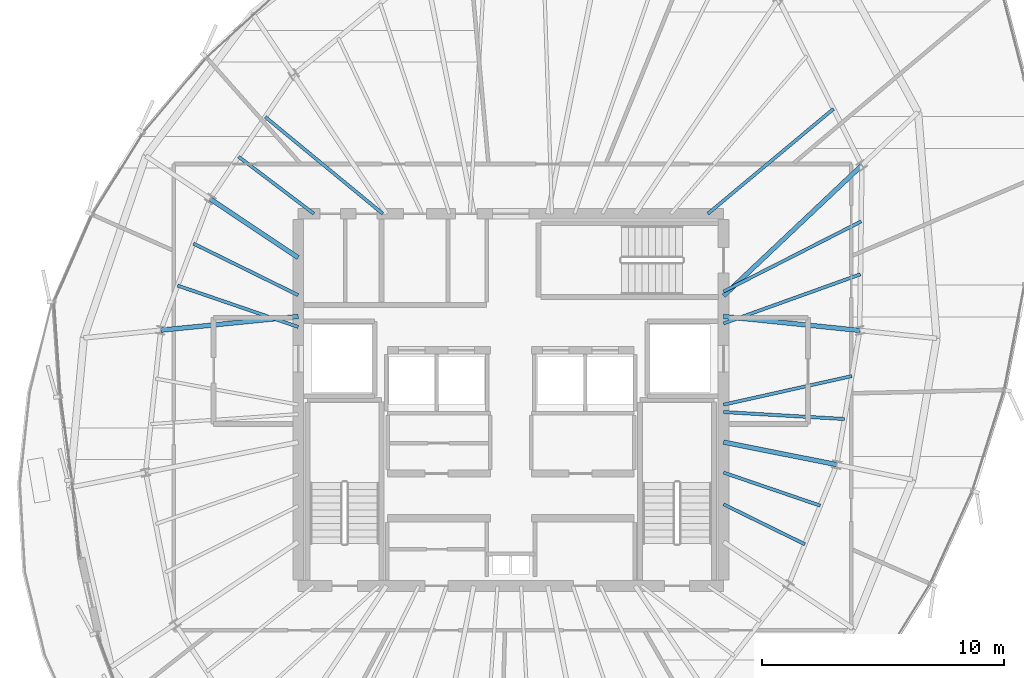
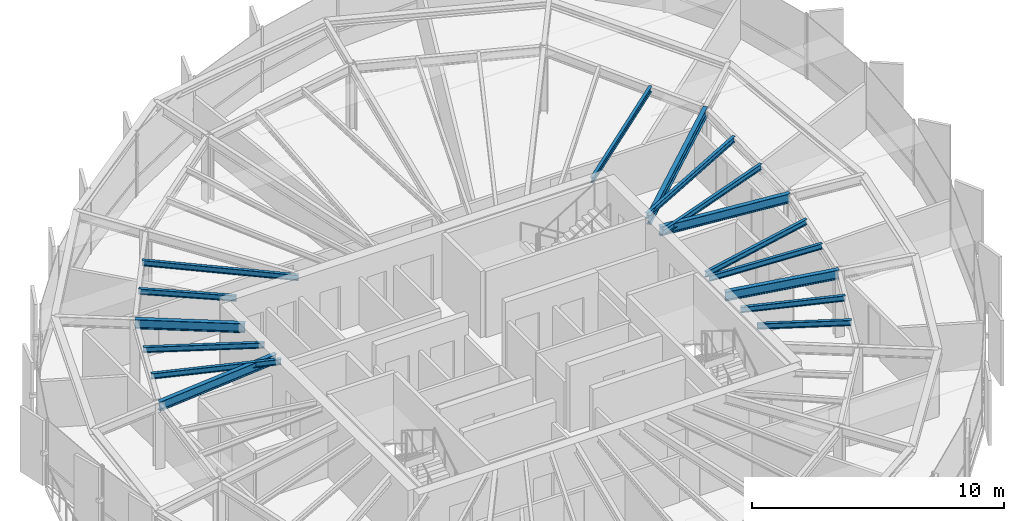
# One storey, part 12 of 32: 16 beams.
"""IFC4 building model written with IfcOpenShell, lengths in metres."""

from ifc_helpers import new_model, si_unit, direction, frame, origin, origin_2d, place, context, subcontext, project, spatial, i_section, extrude, source, transform, mapped, material, material_profile, profile_set, type_object, element, save


model = new_model("IFC4")

# Units and contexts
model_context = context("Model", 3, precision=1e-05, world=origin(), true_north=direction((0.0, 1.0)))
body_context = subcontext(model_context, "Body", "Model", "MODEL_VIEW")
ifc_project = project(units=[si_unit("LENGTHUNIT", "METRE"), si_unit("AREAUNIT", "SQUARE_METRE"), si_unit("VOLUMEUNIT", "CUBIC_METRE"), si_unit("PLANEANGLEUNIT", "RADIAN"), si_unit("MASSUNIT", "GRAM", prefix="KILO"), si_unit("THERMODYNAMICTEMPERATUREUNIT", "KELVIN")], contexts=[model_context])

# Site, building, storey
site_placement = place(None, origin())
site = spatial("IfcSite", under=ifc_project, at=site_placement, CompositionType="ELEMENT")
building_placement = place(site_placement, origin())
building = spatial("IfcBuilding", under=site, at=building_placement, Name="Kethvar Cultural Tower", CompositionType="ELEMENT")
storey_placement = place(building_placement, frame((0.0, 0.0, 252.550048828125)))
storey = spatial("IfcBuildingStorey", under=building, at=storey_placement, Name="L66", CompositionType="ELEMENT", Elevation=252.550048828125)

# Beams
ifc_material = material(Name="Steel S355J2", Category="steel")
ifc_material_profile_1 = material_profile(ifc_material, i_section(OverallWidth=0.18994140625, OverallDepth=0.449951171875, WebThickness=0.009521484375, FlangeThickness=0.0146484375, FilletRadius=0.02099609375, at=origin_2d()), Name="Steel S355J2 — IPE450")
ifc_profile_set_1 = profile_set([ifc_material_profile_1], Name="Steel S355J2 — IPE450")
beam_type_1 = type_object("IfcBeamType", Name="BM-IPE450", PredefinedType="BEAM", material=ifc_profile_set_1)
shared_shape_1 = source(origin(), body_context, "Body", "SweptSolid", [
    extrude(i_section(OverallWidth=0.18994140625, OverallDepth=0.449951171875, WebThickness=0.009521484375, FlangeThickness=0.0146484375, FilletRadius=0.02099609375, at=origin_2d()), origin(), (0.0, 0.0, 1.0), 5.66650390625),
])
beam_1_placement = place(storey_placement, frame((55.60009765625, 31.25, 2.98291015625), z_axis=(0.994777513459, -0.102067128476, 0.0), x_axis=(0.102067128476, 0.994777513459, 0.0)))
element("IfcBeam", 1, at=beam_1_placement, inside=storey, type_object=beam_type_1, Name="L66 Primary Radial Beam RB-01", PredefinedType="BEAM", context=body_context, shape_type="MappedRepresentation", body=[
    mapped(shared_shape_1, transform((0.0, 0.0, 0.0), scale=1.0)),
])
shared_shape_2 = source(origin(), body_context, "Body", "SweptSolid", [
    extrude(i_section(OverallWidth=0.18994140625, OverallDepth=0.449951171875, WebThickness=0.009521484375, FlangeThickness=0.0146484375, FilletRadius=0.02099609375, at=origin_2d()), origin(), (0.0, 0.0, 1.0), 7.874267578125),
])
beam_2_placement = place(storey_placement, frame((55.60009765625, 32.10009765625, 2.98291015625), z_axis=(0.727123202456, 0.686506990823, 0.0), x_axis=(-0.686506990823, 0.727123202456, 0.0)))
element("IfcBeam", 2, at=beam_2_placement, inside=storey, type_object=beam_type_1, Name="L66 Primary Radial Beam RB-02", PredefinedType="BEAM", context=body_context, shape_type="MappedRepresentation", body=[
    mapped(shared_shape_2, transform((0.0, 0.0, 0.0), scale=1.0)),
])
shared_shape_3 = source(origin(), body_context, "Body", "SweptSolid", [
    extrude(i_section(OverallWidth=0.18994140625, OverallDepth=0.449951171875, WebThickness=0.009521484375, FlangeThickness=0.0146484375, FilletRadius=0.02099609375, at=origin_2d()), origin(), (0.0, 0.0, 1.0), 4.3828125),
])
beam_3_placement = place(storey_placement, frame((38.0, 33.679931640625, 2.98291015625), z_axis=(-0.831449909861, 0.555599718676, 0.0), x_axis=(-0.555599718676, -0.831449909861, 0.0)))
element("IfcBeam", 3, at=beam_3_placement, inside=storey, type_object=beam_type_1, Name="L66 Primary Radial Beam RB-07", PredefinedType="BEAM", context=body_context, shape_type="MappedRepresentation", body=[
    mapped(shared_shape_3, transform((0.0, 0.0, 0.0), scale=1.0)),
])
shared_shape_4 = source(origin(), body_context, "Body", "SweptSolid", [
    extrude(i_section(OverallWidth=0.18994140625, OverallDepth=0.449951171875, WebThickness=0.009521484375, FlangeThickness=0.0146484375, FilletRadius=0.02099609375, at=origin_2d()), origin(), (0.0, 0.0, 1.0), 5.7158203125),
])
beam_4_placement = place(storey_placement, frame((38.0, 31.25, 2.98291015625), z_axis=(-0.995048179628, -0.099393763478, 0.0), x_axis=(0.099393763478, -0.995048179628, 0.0)))
element("IfcBeam", 4, at=beam_4_placement, inside=storey, type_object=beam_type_1, Name="L66 Primary Radial Beam RB-08", PredefinedType="BEAM", context=body_context, shape_type="MappedRepresentation", body=[
    mapped(shared_shape_4, transform((0.0, 0.0, 0.0), scale=1.0)),
])
shared_shape_5 = source(origin(), body_context, "Body", "SweptSolid", [
    extrude(i_section(OverallWidth=0.18994140625, OverallDepth=0.449951171875, WebThickness=0.009521484375, FlangeThickness=0.0146484375, FilletRadius=0.02099609375, at=origin_2d()), origin(), (0.0, 0.0, 1.0), 4.775390625),
])
beam_5_placement = place(storey_placement, frame((55.60009765625, 26.049560546875, 2.98291015625), z_axis=(0.980784643133, -0.195093525761, 0.0), x_axis=(0.195093525761, 0.980784643133, 0.0)))
element("IfcBeam", 5, at=beam_5_placement, inside=storey, type_object=beam_type_1, Name="L66 Primary Radial Beam RB-16", PredefinedType="BEAM", context=body_context, shape_type="MappedRepresentation", body=[
    mapped(shared_shape_5, transform((0.0, 0.0, 0.0), scale=1.0)),
])
ifc_material_profile_2 = material_profile(ifc_material, i_section(OverallWidth=0.135009765625, OverallDepth=0.27001953125, WebThickness=0.006591796875, FlangeThickness=0.01025390625, FilletRadius=0.014892578125, at=origin_2d()), Name="Steel S355J2 — IPE270")
ifc_profile_set_2 = profile_set([ifc_material_profile_2], Name="Steel S355J2 — IPE270")
beam_type_2 = type_object("IfcBeamType", Name="BM-J270", PredefinedType="JOIST", material=ifc_profile_set_2)
shared_shape_6 = source(origin(), body_context, "Body", "SweptSolid", [
    extrude(i_section(OverallWidth=0.135009765625, OverallDepth=0.27001953125, WebThickness=0.006591796875, FlangeThickness=0.01025390625, FilletRadius=0.014892578125, at=origin_2d()), origin(), (0.0, 0.0, 1.0), 6.021240234375),
])
beam_6_placement = place(storey_placement, frame((55.60009765625, 30.960205078125, 3.072998046875), z_axis=(0.94114970072, 0.337990001086, 0.0), x_axis=(-0.337990001086, 0.94114970072, 0.0)))
element("IfcBeam", 6, at=beam_6_placement, inside=storey, type_object=beam_type_2, Name="L66 Composite Floor Joist J-01A", PredefinedType="JOIST", context=body_context, shape_type="MappedRepresentation", body=[
    mapped(shared_shape_6, transform((0.0, 0.0, 0.0), scale=1.0)),
])
shared_shape_7 = source(origin(), body_context, "Body", "SweptSolid", [
    extrude(i_section(OverallWidth=0.135009765625, OverallDepth=0.27001953125, WebThickness=0.006591796875, FlangeThickness=0.01025390625, FilletRadius=0.014892578125, at=origin_2d()), origin(), (0.0, 0.0, 1.0), 6.3916015625),
])
beam_7_placement = place(storey_placement, frame((55.60009765625, 32.281494140625, 3.072998046875), z_axis=(0.891094874615, 0.453817060538, 0.0), x_axis=(-0.453817060538, 0.891094874615, 0.0)))
element("IfcBeam", 7, at=beam_7_placement, inside=storey, type_object=beam_type_2, Name="L66 Composite Floor Joist J-01B", PredefinedType="JOIST", context=body_context, shape_type="MappedRepresentation", body=[
    mapped(shared_shape_7, transform((0.0, 0.0, 0.0), scale=1.0)),
])
shared_shape_8 = source(origin(), body_context, "Body", "SweptSolid", [
    extrude(i_section(OverallWidth=0.135009765625, OverallDepth=0.27001953125, WebThickness=0.006591796875, FlangeThickness=0.01025390625, FilletRadius=0.014892578125, at=origin_2d()), origin(), (0.0, 0.0, 1.0), 6.776123046875),
])
beam_8_placement = place(storey_placement, frame((54.949951171875, 35.5, 3.072998046875), z_axis=(0.767801747857, 0.6406875026, 0.0), x_axis=(-0.6406875026, 0.767801747857, 0.0)))
element("IfcBeam", 8, at=beam_8_placement, inside=storey, type_object=beam_type_2, Name="L66 Composite Floor Joist J-02A", PredefinedType="JOIST", context=body_context, shape_type="MappedRepresentation", body=[
    mapped(shared_shape_8, transform((0.0, 0.0, 0.0), scale=1.0)),
])
shared_shape_9 = source(origin(), body_context, "Body", "SweptSolid", [
    extrude(i_section(OverallWidth=0.135009765625, OverallDepth=0.27001953125, WebThickness=0.006591796875, FlangeThickness=0.01025390625, FilletRadius=0.014892578125, at=origin_2d()), origin(), (0.0, 0.0, 1.0), 6.302978515625),
])
beam_9_placement = place(storey_placement, frame((41.5, 35.5, 3.072998046875), z_axis=(-0.771828477148, 0.635830796567, 0.0), x_axis=(-0.635830796567, -0.771828477148, 0.0)))
element("IfcBeam", 9, at=beam_9_placement, inside=storey, type_object=beam_type_2, Name="L66 Composite Floor Joist J-06A", PredefinedType="JOIST", context=body_context, shape_type="MappedRepresentation", body=[
    mapped(shared_shape_9, transform((0.0, 0.0, 0.0), scale=1.0)),
])
shared_shape_10 = source(origin(), body_context, "Body", "SweptSolid", [
    extrude(i_section(OverallWidth=0.135009765625, OverallDepth=0.27001953125, WebThickness=0.006591796875, FlangeThickness=0.01025390625, FilletRadius=0.014892578125, at=origin_2d()), origin(), (0.0, 0.0, 1.0), 3.91357421875),
])
beam_10_placement = place(storey_placement, frame((38.64990234375, 35.5, 3.072998046875), z_axis=(-0.797214062325, 0.603696727531, 0.0), x_axis=(-0.603696727531, -0.797214062325, 0.0)))
element("IfcBeam", 10, at=beam_10_placement, inside=storey, type_object=beam_type_2, Name="L66 Composite Floor Joist J-06B", PredefinedType="JOIST", context=body_context, shape_type="MappedRepresentation", body=[
    mapped(shared_shape_10, transform((0.0, 0.0, 0.0), scale=1.0)),
])
shared_shape_11 = source(origin(), body_context, "Body", "SweptSolid", [
    extrude(i_section(OverallWidth=0.135009765625, OverallDepth=0.27001953125, WebThickness=0.006591796875, FlangeThickness=0.01025390625, FilletRadius=0.014892578125, at=origin_2d()), origin(), (0.0, 0.0, 1.0), 4.8359375),
])
beam_11_placement = place(storey_placement, frame((38.0, 32.1318359375, 3.072998046875), z_axis=(-0.897196527088, 0.441631511308, 0.0), x_axis=(-0.441631511308, -0.897196527088, 0.0)))
element("IfcBeam", 11, at=beam_11_placement, inside=storey, type_object=beam_type_2, Name="L66 Composite Floor Joist J-07A", PredefinedType="JOIST", context=body_context, shape_type="MappedRepresentation", body=[
    mapped(shared_shape_11, transform((0.0, 0.0, 0.0), scale=1.0)),
])
shared_shape_12 = source(origin(), body_context, "Body", "SweptSolid", [
    extrude(i_section(OverallWidth=0.135009765625, OverallDepth=0.27001953125, WebThickness=0.006591796875, FlangeThickness=0.01025390625, FilletRadius=0.014892578125, at=origin_2d()), origin(), (0.0, 0.0, 1.0), 5.2783203125),
])
beam_12_placement = place(storey_placement, frame((38.0, 30.817138671875, 3.072998046875), z_axis=(-0.945942702368, 0.324333784607, 0.0), x_axis=(-0.324333784607, -0.945942702368, 0.0)))
element("IfcBeam", 12, at=beam_12_placement, inside=storey, type_object=beam_type_2, Name="L66 Composite Floor Joist J-07B", PredefinedType="JOIST", context=body_context, shape_type="MappedRepresentation", body=[
    mapped(shared_shape_12, transform((0.0, 0.0, 0.0), scale=1.0)),
])
shared_shape_13 = source(origin(), body_context, "Body", "SweptSolid", [
    extrude(i_section(OverallWidth=0.135009765625, OverallDepth=0.27001953125, WebThickness=0.006591796875, FlangeThickness=0.01025390625, FilletRadius=0.014892578125, at=origin_2d()), origin(), (0.0, 0.0, 1.0), 3.75),
])
beam_13_placement = place(storey_placement, frame((55.60009765625, 23.476318359375, 3.072998046875), z_axis=(0.8975046019, -0.441005090184, 0.0), x_axis=(0.441005090184, 0.8975046019, 0.0)))
element("IfcBeam", 13, at=beam_13_placement, inside=storey, type_object=beam_type_2, Name="L66 Composite Floor Joist J-15A", PredefinedType="JOIST", context=body_context, shape_type="MappedRepresentation", body=[
    mapped(shared_shape_13, transform((0.0, 0.0, 0.0), scale=1.0)),
])
shared_shape_14 = source(origin(), body_context, "Body", "SweptSolid", [
    extrude(i_section(OverallWidth=0.135009765625, OverallDepth=0.27001953125, WebThickness=0.006591796875, FlangeThickness=0.01025390625, FilletRadius=0.014892578125, at=origin_2d()), origin(), (0.0, 0.0, 1.0), 4.232421875),
])
beam_14_placement = place(storey_placement, frame((55.60009765625, 24.7900390625, 3.072998046875), z_axis=(0.946173747357, -0.323659141402, 0.0), x_axis=(0.323659141402, 0.946173747357, 0.0)))
element("IfcBeam", 14, at=beam_14_placement, inside=storey, type_object=beam_type_2, Name="L66 Composite Floor Joist J-15B", PredefinedType="JOIST", context=body_context, shape_type="MappedRepresentation", body=[
    mapped(shared_shape_14, transform((0.0, 0.0, 0.0), scale=1.0)),
])
shared_shape_15 = source(origin(), body_context, "Body", "SweptSolid", [
    extrude(i_section(OverallWidth=0.135009765625, OverallDepth=0.27001953125, WebThickness=0.006591796875, FlangeThickness=0.01025390625, FilletRadius=0.014892578125, at=origin_2d()), origin(), (0.0, 0.0, 1.0), 5.01611328125),
])
beam_15_placement = place(storey_placement, frame((55.60009765625, 27.294189453125, 3.072998046875), z_axis=(0.998352190078, -0.057383835418, 0.0), x_axis=(0.057383835418, 0.998352190078, 0.0)))
element("IfcBeam", 15, at=beam_15_placement, inside=storey, type_object=beam_type_2, Name="L66 Composite Floor Joist J-16A", PredefinedType="JOIST", context=body_context, shape_type="MappedRepresentation", body=[
    mapped(shared_shape_15, transform((0.0, 0.0, 0.0), scale=1.0)),
])
shared_shape_16 = source(origin(), body_context, "Body", "SweptSolid", [
    extrude(i_section(OverallWidth=0.135009765625, OverallDepth=0.27001953125, WebThickness=0.006591796875, FlangeThickness=0.01025390625, FilletRadius=0.014892578125, at=origin_2d()), origin(), (0.0, 0.0, 1.0), 5.44287109375),
])
beam_16_placement = place(storey_placement, frame((55.60009765625, 27.60009765625, 3.072998046875), z_axis=(0.976080346759, 0.217410111702, 0.0), x_axis=(-0.217410111702, 0.976080346759, 0.0)))
element("IfcBeam", 16, at=beam_16_placement, inside=storey, type_object=beam_type_2, Name="L66 Composite Floor Joist J-16B", PredefinedType="JOIST", context=body_context, shape_type="MappedRepresentation", body=[
    mapped(shared_shape_16, transform((0.0, 0.0, 0.0), scale=1.0)),
])

save(model, "model.ifc")
